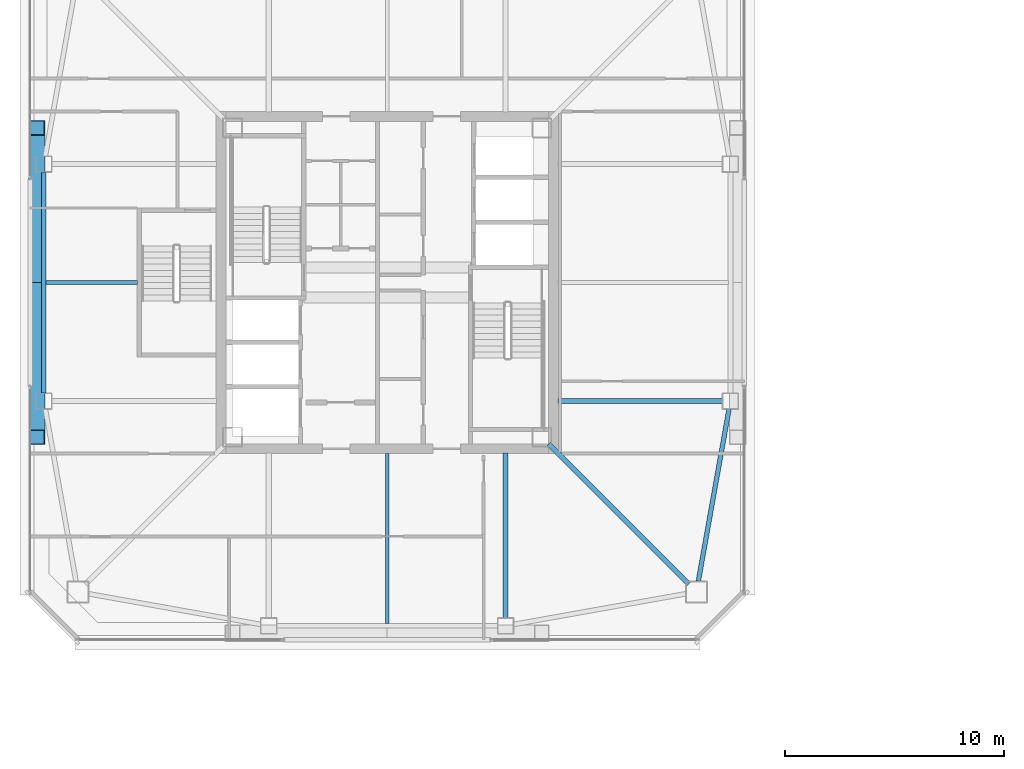
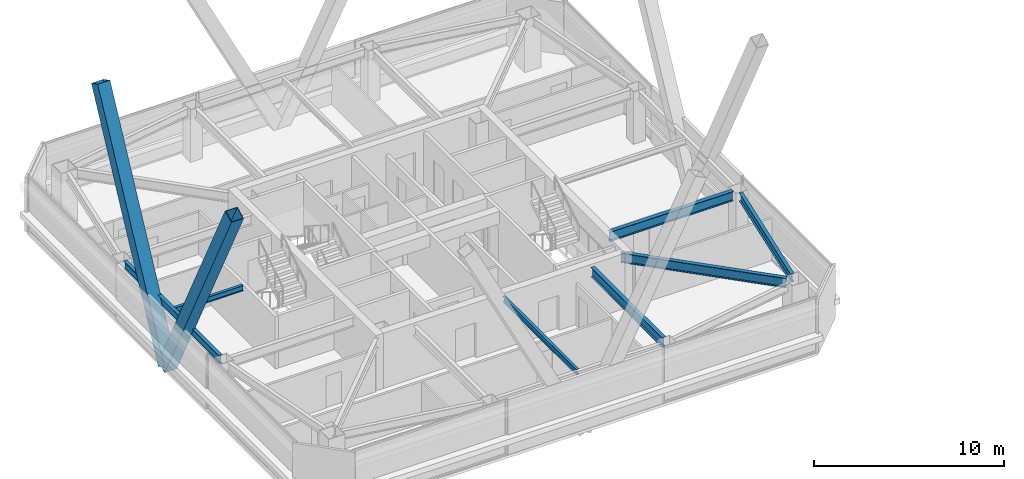
# One storey, part 8 of 47: 7 beams, 2 members.
"""IFC4 building model written with IfcOpenShell, lengths in metres."""

from ifc_helpers import new_model, si_unit, direction, frame, origin, origin_2d, place, context, subcontext, project, spatial, hollow_rectangle, i_section, extrude, material, material_profile, profile_set, type_object, element, save


model = new_model("IFC4")

# Units and contexts
model_context = context("Model", 3, precision=1e-05, world=origin(), true_north=direction((0.0, 1.0)))
body_context = subcontext(model_context, "Body", "Model", "MODEL_VIEW")
ifc_project = project(units=[si_unit("LENGTHUNIT", "METRE"), si_unit("AREAUNIT", "SQUARE_METRE"), si_unit("VOLUMEUNIT", "CUBIC_METRE"), si_unit("PLANEANGLEUNIT", "RADIAN"), si_unit("MASSUNIT", "GRAM", prefix="KILO")], contexts=[model_context])

# Site, building, storey
site_placement = place(None, origin())
site = spatial("IfcSite", under=ifc_project, at=site_placement, CompositionType="ELEMENT")
building_placement = place(site_placement, origin())
building = spatial("IfcBuilding", under=site, at=building_placement, Name="Tashvorn Skyway Center", CompositionType="ELEMENT")
storey_placement = place(building_placement, frame((0.0, 0.0, 204.199951171875)))
storey = spatial("IfcBuildingStorey", under=building, at=storey_placement, Name="L55", CompositionType="ELEMENT", Elevation=204.199951171875)

# Beams
ifc_material_1 = material(Name="Steel ASTM A992 Grade 50", Category="steel")
ifc_material_profile_1 = material_profile(ifc_material_1, i_section(OverallWidth=0.22998046875, OverallDepth=0.616943359375, WebThickness=0.01318359375, FlangeThickness=0.022216796875, at=origin_2d()), Name="W24X94")
ifc_profile_set_1 = profile_set([ifc_material_profile_1], Name="Steel ASTM A992 Grade 50")
beam_type_1 = type_object("IfcBeamType", Name="BM-BEAM-W24X94", PredefinedType="BEAM", material=ifc_profile_set_1)
beam_1_placement = place(storey_placement, frame((55.75, 18.25, 3.0615234375), z_axis=(-0.707106781187, 0.707106781187, 0.0), x_axis=(-0.707106781187, -0.707106781187, 0.0)))
element("IfcBeam", 1, at=beam_1_placement, inside=storey, type_object=beam_type_1, Name="Tower 1 L55 Primary Floor Girder MC-SE", PredefinedType="BEAM", context=body_context, shape_type="SweptSolid", body=[
    extrude(i_section(OverallWidth=0.22998046875, OverallDepth=0.616943359375, WebThickness=0.01318359375, FlangeThickness=0.022216796875, at=origin_2d()), origin(), (0.0, 0.0, 1.0), 9.030029296875),
])
for number, where, z_axis, x_axis, name in (
    (2, (47.39990234375, 16.719970703125, 3.0615234375), (0.0, 1.0, 0.0), (-1.0, 0.0, 0.0), "Tower 1 L55 Primary Floor Girder FC-S2"),
    (3, (57.280029296875, 26.60009765625, 3.0615234375), (-1.0, 0.0, 0.0), (0.0, -1.0, 0.0), "Tower 1 L55 Primary Floor Girder FC-E1"),
):
    element("IfcBeam", number, at=place(storey_placement, frame(where, z_axis=z_axis, x_axis=x_axis)), inside=storey, type_object=beam_type_1, Name=name, PredefinedType="BEAM", context=body_context, shape_type="SweptSolid", body=[
        extrude(i_section(OverallWidth=0.22998046875, OverallDepth=0.616943359375, WebThickness=0.01318359375, FlangeThickness=0.022216796875, at=origin_2d()), origin(), (0.0, 0.0, 1.0), 7.5),
    ])
ifc_material_profile_2 = material_profile(ifc_material_1, i_section(OverallWidth=0.1708984375, OverallDepth=0.35498046875, WebThickness=0.007080078125, FlangeThickness=0.01171875, at=origin_2d()), Name="W14X34")
ifc_profile_set_2 = profile_set([ifc_material_profile_2], Name="Steel ASTM A992 Grade 50")
beam_type_2 = type_object("IfcBeamType", Name="BM-JOIST-W14X34", PredefinedType="JOIST", material=ifc_profile_set_2)
beam_2_placement = place(storey_placement, frame((42.0, 24.2099609375, 3.192626953125), z_axis=(0.0, -1.0, 0.0), x_axis=(1.0, 0.0, 0.0)))
element("IfcBeam", 4, at=beam_2_placement, inside=storey, type_object=beam_type_2, Name="Tower 1 L55 Secondary Composite Joist JS", PredefinedType="JOIST", context=body_context, shape_type="SweptSolid", body=[
    extrude(i_section(OverallWidth=0.1708984375, OverallDepth=0.35498046875, WebThickness=0.007080078125, FlangeThickness=0.01171875, at=origin_2d()), origin(), (0.0, 0.0, 1.0), 7.762451171875),
])
beam_3_placement = place(storey_placement, frame((30.610107421875, 32.0, 3.192626953125), z_axis=(-1.0, 0.0, 0.0), x_axis=(0.0, -1.0, 0.0)))
element("IfcBeam", 5, at=beam_3_placement, inside=storey, type_object=beam_type_2, Name="Tower 1 L55 Secondary Composite Joist JW", PredefinedType="JOIST", context=body_context, shape_type="SweptSolid", body=[
    extrude(i_section(OverallWidth=0.1708984375, OverallDepth=0.35498046875, WebThickness=0.007080078125, FlangeThickness=0.01171875, at=origin_2d()), origin(), (0.0, 0.0, 1.0), 4.16259765625),
])
ifc_material_profile_3 = material_profile(ifc_material_1, i_section(OverallWidth=0.2109375, OverallDepth=0.5390625, WebThickness=0.01171875, FlangeThickness=0.018798828125, at=origin_2d()), Name="W21X73")
ifc_profile_set_3 = profile_set([ifc_material_profile_3], Name="Steel ASTM A992 Grade 50")
beam_type_3 = type_object("IfcBeamType", Name="BM-SPANDREL-W21X73", PredefinedType="SPANDREL", material=ifc_profile_set_3)
beam_4_placement = place(storey_placement, frame((56.186767578125, 18.38720703125, 3.1005859375), z_axis=(0.17541329759, 0.984494883191, 0.0), x_axis=(-0.984494883191, 0.17541329759, 0.0)))
element("IfcBeam", 6, at=beam_4_placement, inside=storey, type_object=beam_type_3, Name="Tower 1 L55 Spandrel Beam 04", PredefinedType="SPANDREL", context=body_context, shape_type="SweptSolid", body=[
    extrude(i_section(OverallWidth=0.2109375, OverallDepth=0.5390625, WebThickness=0.01171875, FlangeThickness=0.018798828125, at=origin_2d()), origin(), (0.0, 0.0, 1.0), 7.97216796875),
])
beam_5_placement = place(storey_placement, frame((26.35009765625, 37.030029296875, 3.1005859375), z_axis=(0.0, -1.0, 0.0), x_axis=(1.0, 0.0, 0.0)))
element("IfcBeam", 7, at=beam_5_placement, inside=storey, type_object=beam_type_3, Name="Tower 1 L55 Spandrel Beam 11", PredefinedType="SPANDREL", context=body_context, shape_type="SweptSolid", body=[
    extrude(i_section(OverallWidth=0.2109375, OverallDepth=0.5390625, WebThickness=0.01171875, FlangeThickness=0.018798828125, at=origin_2d()), origin(), (0.0, 0.0, 1.0), 10.06005859375),
])

# Members
ifc_material_2 = material(Name="Steel ASTM A572 Grade 50", Category="steel")
ifc_material_profile_4 = material_profile(ifc_material_2, hollow_rectangle(XDim=0.75, YDim=0.75, WallThickness=0.031982421875, at=origin_2d()), Name="BOX750x750x32")
ifc_profile_set_4 = profile_set([ifc_material_profile_4], Name="Steel ASTM A572 Grade 50")
member_type = type_object("IfcMemberType", Name="MEM-MB-750", PredefinedType="BRACE", material=ifc_profile_set_4)
for number, where, z_axis, x_axis, name in (
    (8, (26.02001953125, 32.0, -0.199951171875), (0.0, 0.451051930666, 0.892497706351), (-1.0, 0.0, 0.0), "Tower 1 Zone 5 W Chevron Mega-Brace L1"),
    (9, (26.02001953125, 32.0, -0.199951171875), (0.0, -0.451051930666, 0.892497706351), (1.0, 0.0, 0.0), "Tower 1 Zone 5 W Chevron Mega-Brace R1"),
):
    element("IfcMember", number, at=place(storey_placement, frame(where, z_axis=z_axis, x_axis=x_axis)), inside=storey, type_object=member_type, Name=name, PredefinedType="BRACE", context=body_context, shape_type="SweptSolid", body=[
        extrude(hollow_rectangle(XDim=0.75, YDim=0.75, WallThickness=0.031982421875, at=origin_2d()), origin(), (0.0, 0.0, 1.0), 15.630126953125),
    ])

save(model, "model.ifc")
